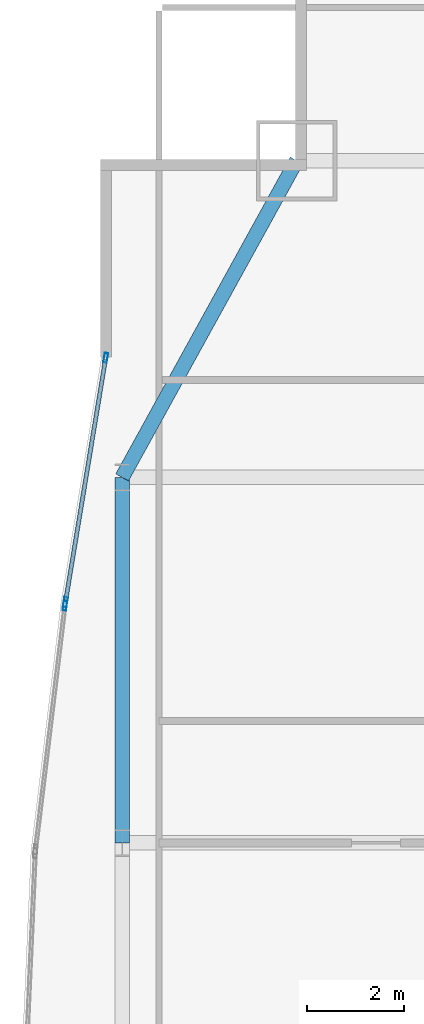
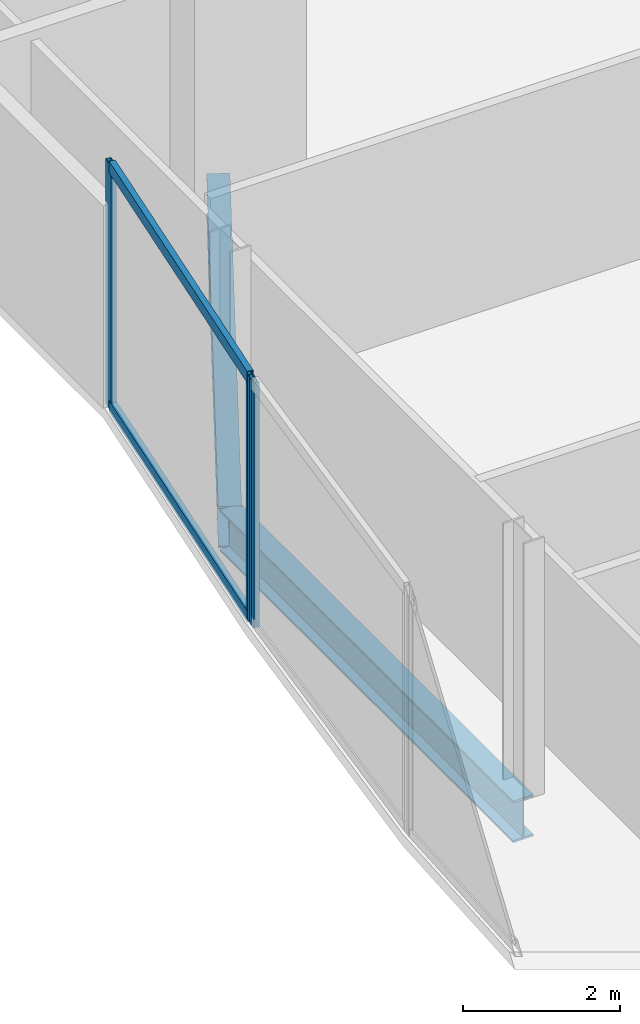
# One storey, part 16 of 32: 5 members, 2 beams, 2 elements without a shape of their own.
"""IFC4 building model written with IfcOpenShell, lengths in metres."""

from ifc_helpers import new_model, si_unit, direction, frame, origin, origin_2d, place, context, subcontext, project, spatial, hollow_rectangle, i_section, extrude, material, material_profile, profile_set, type_object, element, aggregate, save


model = new_model("IFC4")

# Units and contexts
model_context = context("Model", 3, precision=1e-05, world=origin(), true_north=direction((0.0, 1.0)))
body_context = subcontext(model_context, "Body", "Model", "MODEL_VIEW")
ifc_project = project(units=[si_unit("LENGTHUNIT", "METRE"), si_unit("AREAUNIT", "SQUARE_METRE"), si_unit("VOLUMEUNIT", "CUBIC_METRE"), si_unit("PLANEANGLEUNIT", "RADIAN"), si_unit("MASSUNIT", "GRAM", prefix="KILO")], contexts=[model_context])

# Site, building, storey
site_placement = place(None, origin())
site = spatial("IfcSite", under=ifc_project, at=site_placement, CompositionType="ELEMENT")
building_placement = place(site_placement, origin())
building = spatial("IfcBuilding", under=site, at=building_placement, Name="Khoronbel Lancet Exchange", CompositionType="ELEMENT")
storey_placement = place(building_placement, frame((0.0, 0.0, 65.800048828125)))
storey = spatial("IfcBuildingStorey", under=building, at=storey_placement, Name="L15", CompositionType="ELEMENT", Elevation=65.800048828125)

# Beams
ifc_material_1 = material(Name="Steel S355", Category="steel")
ifc_material_profile_1 = material_profile(ifc_material_1, i_section(OverallWidth=0.300048828125, OverallDepth=0.64990234375, WebThickness=0.01611328125, FlangeThickness=0.031005859375, at=origin_2d()), Name="HEB 650")
ifc_profile_set_1 = profile_set([ifc_material_profile_1], Name="Steel S355")
beam_type = type_object("IfcBeamType", Name="BM-BSP1", PredefinedType="SPANDREL", material=ifc_profile_set_1)
beam_1_placement = place(storey_placement, frame((4.85009765625, 49.699951171875, -0.505126953125), z_axis=(-0.482444051088, -0.875926787791, 0.0), x_axis=(0.875926787791, -0.482444051088, 0.0)))
element("IfcBeam", 1, at=beam_1_placement, inside=storey, type_object=beam_type, Name="Level L15 perimeter spandrel beam SP16", PredefinedType="SPANDREL", context=body_context, shape_type="SweptSolid", body=[
    extrude(i_section(OverallWidth=0.300048828125, OverallDepth=0.64990234375, WebThickness=0.01611328125, FlangeThickness=0.031005859375, at=origin_2d()), origin(), (0.0, 0.0, 1.0), 7.420654296875),
])
beam_2_placement = place(storey_placement, frame((1.27001953125, 43.199951171875, -0.505126953125), z_axis=(0.0, -1.0, 0.0), x_axis=(1.0, 0.0, 0.0)))
element("IfcBeam", 2, at=beam_2_placement, inside=storey, type_object=beam_type, Name="Level L15 perimeter spandrel beam SP17", PredefinedType="SPANDREL", context=body_context, shape_type="SweptSolid", body=[
    extrude(i_section(OverallWidth=0.300048828125, OverallDepth=0.64990234375, WebThickness=0.01611328125, FlangeThickness=0.031005859375, at=origin_2d()), origin(), (0.0, 0.0, 1.0), 7.5),
])

# Curtain wall, member
ifc_material_2 = material(Name="Low-E Solar Control Insulating Glass", Category="glass")
curtain_wall_type = type_object("IfcCurtainWallType", Name="CW-4", PredefinedType="NOTDEFINED", material=ifc_material_2)
curtain_wall_1_placement = place(storey_placement, origin())
curtain_wall_1 = element("IfcCurtainWall", 3, at=curtain_wall_1_placement, inside=storey, type_object=curtain_wall_type, Name="Unitised curtain wall CW-L15-E08", PredefinedType="NOTDEFINED")
ifc_material_3 = material(Name="Bronze-Anodised Aluminium 6063-T6", Category="aluminium")
ifc_material_profile_2 = material_profile(ifc_material_3, hollow_rectangle(XDim=0.074951171875, YDim=0.199951171875, WallThickness=0.0048828125, at=origin_2d()), Name="ALU MULLION 75x200")
ifc_profile_set_2 = profile_set([ifc_material_profile_2], Name="Bronze-Anodised Aluminium 6063-T6")
member_type_1 = type_object("IfcMemberType", Name="MEM-CWM2", PredefinedType="MULLION", material=ifc_profile_set_2)
member_1_placement = place(storey_placement, frame((0.0966796875, 40.566650390625, 0.0), z_axis=(0.0, 0.0, 1.0), x_axis=(-0.992797337114, 0.119805873895, 0.0)))
member_1 = element("IfcMember", 4, at=member_1_placement, type_object=member_type_1, Name="CW4 mullion 2", PredefinedType="MULLION", context=body_context, shape_type="SweptSolid", body=[
    extrude(hollow_rectangle(XDim=0.074951171875, YDim=0.199951171875, WallThickness=0.0048828125, at=origin_2d()), origin(), (0.0, 0.0, 1.0), 3.820068359375),
])
aggregate(curtain_wall_1, [member_1])

# Curtain wall, members
curtain_wall_2_placement = place(storey_placement, origin())
curtain_wall_2 = element("IfcCurtainWall", 5, at=curtain_wall_2_placement, inside=storey, type_object=curtain_wall_type, Name="Unitised curtain wall CW-L15-E09", PredefinedType="NOTDEFINED")
member_2_placement = place(storey_placement, frame((0.107177734375, 40.64111328125, 0.0), z_axis=(0.0, 0.0, 1.0), x_axis=(-0.986681675242, 0.162663062008, 0.0)))
member_2 = element("IfcMember", 6, at=member_2_placement, type_object=member_type_1, Name="CW4 mullion 1", PredefinedType="MULLION", context=body_context, shape_type="SweptSolid", body=[
    extrude(hollow_rectangle(XDim=0.074951171875, YDim=0.199951171875, WallThickness=0.0048828125, at=origin_2d()), origin(), (0.0, 0.0, 1.0), 3.820068359375),
])
member_3_placement = place(storey_placement, frame((0.933837890625, 45.655517578125, 0.0), z_axis=(0.0, 0.0, 1.0), x_axis=(-0.986681675242, 0.162663062008, 0.0)))
member_3 = element("IfcMember", 7, at=member_3_placement, type_object=member_type_1, Name="CW4 mullion 2", PredefinedType="MULLION", context=body_context, shape_type="SweptSolid", body=[
    extrude(hollow_rectangle(XDim=0.074951171875, YDim=0.199951171875, WallThickness=0.0048828125, at=origin_2d()), origin(), (0.0, 0.0, 1.0), 3.820068359375),
])
ifc_material_profile_3 = material_profile(ifc_material_3, hollow_rectangle(XDim=0.0849609375, YDim=0.179931640625, WallThickness=0.0048828125, at=origin_2d()), Name="ALU TRANSOM 85x180")
ifc_profile_set_3 = profile_set([ifc_material_profile_3], Name="Bronze-Anodised Aluminium 6063-T6")
member_type_2 = type_object("IfcMemberType", Name="MEM-CWT1", PredefinedType="USERDEFINED", material=ifc_profile_set_3)
member_4_placement = place(storey_placement, frame((0.11328125, 40.677978515625, 0.04248046875), z_axis=(0.162651404826, 0.986683596959, 0.0), x_axis=(-0.986683596959, 0.162651404826, 0.0)))
member_4 = element("IfcMember", 8, at=member_4_placement, type_object=member_type_2, Name="CW4 transom 1.1", ObjectType="TRANSOM", PredefinedType="USERDEFINED", context=body_context, shape_type="SweptSolid", body=[
    extrude(hollow_rectangle(XDim=0.0849609375, YDim=0.179931640625, WallThickness=0.0048828125, at=origin_2d()), origin(), (0.0, 0.0, 1.0), 5.00732421875),
])
member_5_placement = place(storey_placement, frame((0.11328125, 40.677978515625, 3.77734375), z_axis=(0.162651404826, 0.986683596959, 0.0), x_axis=(-0.986683596959, 0.162651404826, 0.0)))
member_5 = element("IfcMember", 9, at=member_5_placement, type_object=member_type_2, Name="CW4 transom 1.2", ObjectType="TRANSOM", PredefinedType="USERDEFINED", context=body_context, shape_type="SweptSolid", body=[
    extrude(hollow_rectangle(XDim=0.0849609375, YDim=0.179931640625, WallThickness=0.0048828125, at=origin_2d()), origin(), (0.0, 0.0, 1.0), 5.00732421875),
])
aggregate(curtain_wall_2, [member_2, member_3, member_4, member_5])

save(model, "model.ifc")
